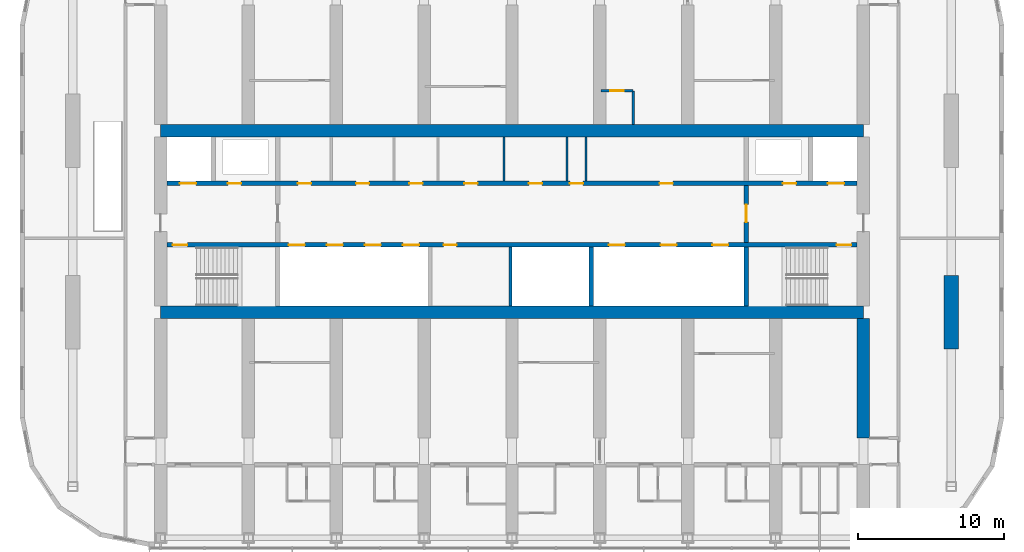
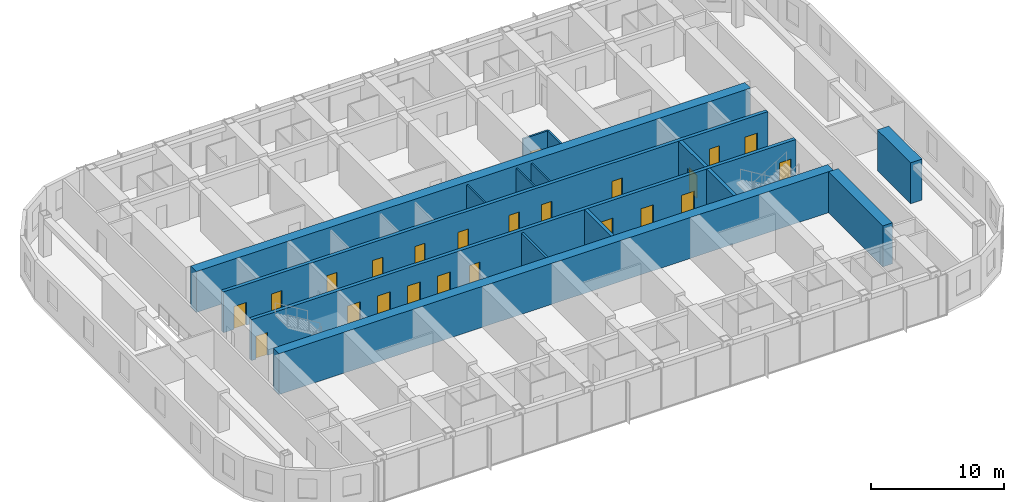
# One storey, part 13 of 22: 23 doors, 15 walls, 23 openings.
"""IFC4 building model written with IfcOpenShell, lengths in metres."""

from ifc_helpers import new_model, si_unit, direction, frame, frame_2d, origin, place, context, subcontext, project, spatial, rectangle, extrude, material, layer, layer_set, type_object, element, fill, save


model = new_model("IFC4")

# Units and contexts
model_context = context("Model", 3, precision=1e-05, world=origin(), true_north=direction((0.0, 1.0)))
body_context = subcontext(model_context, "Body", "Model", "MODEL_VIEW")
ifc_project = project(units=[si_unit("LENGTHUNIT", "METRE"), si_unit("AREAUNIT", "SQUARE_METRE"), si_unit("VOLUMEUNIT", "CUBIC_METRE"), si_unit("PLANEANGLEUNIT", "RADIAN"), si_unit("MASSUNIT", "GRAM", prefix="KILO")], contexts=[model_context])

# Site, building, storey
site_placement = place(None, origin())
site = spatial("IfcSite", under=ifc_project, at=site_placement, CompositionType="ELEMENT")
building_placement = place(site_placement, origin())
building = spatial("IfcBuilding", under=site, at=building_placement, Name="Orbita Commons", CompositionType="ELEMENT")
storey_placement = place(building_placement, frame((0.0, 0.0, 182.35009765625)))
storey = spatial("IfcBuildingStorey", under=building, at=storey_placement, Name="L45", CompositionType="ELEMENT", Elevation=182.35009765625)

# Wall, openings, doors
ifc_material_1 = material(Name="Concrete C50/60", Category="concrete")
ifc_layer_1 = layer(ifc_material_1, 0.300048828125)
ifc_layer_set_1 = layer_set([ifc_layer_1], Name="Concrete C50/60")
wall_type_1 = type_object("IfcWallType", Name="Core inner wall 300 C50/60", PredefinedType="SHEAR", material=ifc_layer_set_1)
wall_1_placement = place(storey_placement, frame((18.425048828125, 30.39990234375, 0.0), z_axis=(0.0, 0.0, 1.0), x_axis=(1.0, 0.0, 0.0)))
wall_1 = element("IfcWall", 1, at=wall_1_placement, inside=storey, type_object=wall_type_1, Name="Lobby wall south L45", PredefinedType="SHEAR", context=body_context, shape_type="SweptSolid", body=[
    extrude(rectangle(XDim=47.14990234375, YDim=0.300048828125, at=frame_2d((23.574951171875, 0.0))), origin(), (0.0, 0.0, 1.0), 3.75),
])
opening_1_placement = place(wall_1_placement, frame((0.39990234375, 0.0, 0.0)))
opening_1 = element("IfcOpeningElement", 2, at=opening_1_placement, cuts=wall_1, Name="Opening D02", PredefinedType="OPENING", context=body_context, shape_type="SweptSolid", body=[
    extrude(rectangle(XDim=1.0, YDim=2.10009765625, at=frame_2d((0.5, 1.050048828125))), frame((0.0, 0.159912109375, 0.0), z_axis=(0.0, -1.0, 0.0), x_axis=(1.0, 0.0, 0.0)), (0.0, 0.0, 1.0), 0.320068359375),
])
opening_2_placement = place(wall_1_placement, frame((45.75, 0.0, 0.0)))
opening_2 = element("IfcOpeningElement", 3, at=opening_2_placement, cuts=wall_1, Name="Opening D02", PredefinedType="OPENING", context=body_context, shape_type="SweptSolid", body=[
    extrude(rectangle(XDim=1.0, YDim=2.10009765625, at=frame_2d((0.5, 1.050048828125))), frame((0.0, 0.159912109375, 0.0), z_axis=(0.0, -1.0, 0.0), x_axis=(1.0, 0.0, 0.0)), (0.0, 0.0, 1.0), 0.320068359375),
])
opening_3_placement = place(wall_1_placement, frame((8.324951171875, 0.0, 0.0)))
opening_3 = element("IfcOpeningElement", 4, at=opening_3_placement, cuts=wall_1, Name="Opening LD02", PredefinedType="OPENING", context=body_context, shape_type="SweptSolid", body=[
    extrude(rectangle(XDim=1.10009765625, YDim=2.10009765625, at=frame_2d((0.550048828125, 1.050048828125))), frame((0.0, 0.159912109375, 0.0), z_axis=(0.0, -1.0, 0.0), x_axis=(1.0, 0.0, 0.0)), (0.0, 0.0, 1.0), 0.320068359375),
])
opening_4_placement = place(wall_1_placement, frame((10.925048828125, 0.0, 0.0)))
opening_4 = element("IfcOpeningElement", 5, at=opening_4_placement, cuts=wall_1, Name="Opening LD02", PredefinedType="OPENING", context=body_context, shape_type="SweptSolid", body=[
    extrude(rectangle(XDim=1.10009765625, YDim=2.10009765625, at=frame_2d((0.550048828125, 1.050048828125))), frame((0.0, 0.159912109375, 0.0), z_axis=(0.0, -1.0, 0.0), x_axis=(1.0, 0.0, 0.0)), (0.0, 0.0, 1.0), 0.320068359375),
])
opening_5_placement = place(wall_1_placement, frame((13.52490234375, 0.0, 0.0)))
opening_5 = element("IfcOpeningElement", 6, at=opening_5_placement, cuts=wall_1, Name="Opening LD02", PredefinedType="OPENING", context=body_context, shape_type="SweptSolid", body=[
    extrude(rectangle(XDim=1.10009765625, YDim=2.10009765625, at=frame_2d((0.550048828125, 1.050048828125))), frame((0.0, 0.159912109375, 0.0), z_axis=(0.0, -1.0, 0.0), x_axis=(1.0, 0.0, 0.0)), (0.0, 0.0, 1.0), 0.320068359375),
])
opening_6_placement = place(wall_1_placement, frame((16.125, 0.0, 0.0)))
opening_6 = element("IfcOpeningElement", 7, at=opening_6_placement, cuts=wall_1, Name="Opening LD02", PredefinedType="OPENING", context=body_context, shape_type="SweptSolid", body=[
    extrude(rectangle(XDim=1.10009765625, YDim=2.10009765625, at=frame_2d((0.550048828125, 1.050048828125))), frame((0.0, 0.159912109375, 0.0), z_axis=(0.0, -1.0, 0.0), x_axis=(1.0, 0.0, 0.0)), (0.0, 0.0, 1.0), 0.320068359375),
])
opening_7_placement = place(wall_1_placement, frame((18.89990234375, 0.0, 0.0)))
opening_7 = element("IfcOpeningElement", 8, at=opening_7_placement, cuts=wall_1, Name="Opening D05", PredefinedType="OPENING", context=body_context, shape_type="SweptSolid", body=[
    extrude(rectangle(XDim=0.89990234375, YDim=2.10009765625, at=frame_2d((0.449951171875, 1.050048828125))), frame((0.0, 0.159912109375, 0.0), z_axis=(0.0, -1.0, 0.0), x_axis=(1.0, 0.0, 0.0)), (0.0, 0.0, 1.0), 0.320068359375),
])
opening_8_placement = place(wall_1_placement, frame((30.191650390625, 0.0, 0.0)))
opening_8 = element("IfcOpeningElement", 9, at=opening_8_placement, cuts=wall_1, Name="Opening LD02", PredefinedType="OPENING", context=body_context, shape_type="SweptSolid", body=[
    extrude(rectangle(XDim=1.10009765625, YDim=2.10009765625, at=frame_2d((0.550048828125, 1.050048828125))), frame((0.0, 0.159912109375, 0.0), z_axis=(0.0, -1.0, 0.0), x_axis=(1.0, 0.0, 0.0)), (0.0, 0.0, 1.0), 0.320068359375),
])
opening_9_placement = place(wall_1_placement, frame((33.72509765625, 0.0, 0.0)))
opening_9 = element("IfcOpeningElement", 10, at=opening_9_placement, cuts=wall_1, Name="Opening LD02", PredefinedType="OPENING", context=body_context, shape_type="SweptSolid", body=[
    extrude(rectangle(XDim=1.10009765625, YDim=2.10009765625, at=frame_2d((0.550048828125, 1.050048828125))), frame((0.0, 0.159912109375, 0.0), z_axis=(0.0, -1.0, 0.0), x_axis=(1.0, 0.0, 0.0)), (0.0, 0.0, 1.0), 0.320068359375),
])
opening_10_placement = place(wall_1_placement, frame((37.25830078125, 0.0, 0.0)))
opening_10 = element("IfcOpeningElement", 11, at=opening_10_placement, cuts=wall_1, Name="Opening LD02", PredefinedType="OPENING", context=body_context, shape_type="SweptSolid", body=[
    extrude(rectangle(XDim=1.10009765625, YDim=2.10009765625, at=frame_2d((0.550048828125, 1.050048828125))), frame((0.0, 0.159912109375, 0.0), z_axis=(0.0, -1.0, 0.0), x_axis=(1.0, 0.0, 0.0)), (0.0, 0.0, 1.0), 0.320068359375),
])
ifc_material_2 = material(Name="Steel-faced fire door leaf", Category="steel")
door_type_1 = type_object("IfcDoorType", Name="Fire door 90 min 1000x2100", OperationType="SINGLE_SWING_LEFT", PredefinedType="DOOR", material=ifc_material_2)
door_1_placement = place(opening_1_placement, origin())
door_1 = element("IfcDoor", 12, at=door_1_placement, inside=storey, type_object=door_type_1, Name="Stair S1 door", OperationType="SINGLE_SWING_LEFT", OverallHeight=2.10009765625, OverallWidth=1.0, PredefinedType="DOOR", context=body_context, shape_type="SweptSolid", body=[
    extrude(rectangle(XDim=1.0, YDim=2.10009765625, at=frame_2d((0.5, 1.050048828125))), frame((0.0, 0.02490234375, 0.0), z_axis=(0.0, -1.0, 0.0), x_axis=(1.0, 0.0, 0.0)), (0.0, 0.0, 1.0), 0.050048828125),
])
fill(opening_1, door_1)
door_2_placement = place(opening_2_placement, origin())
door_2 = element("IfcDoor", 13, at=door_2_placement, inside=storey, type_object=door_type_1, Name="Stair S2 door", OperationType="SINGLE_SWING_LEFT", OverallHeight=2.10009765625, OverallWidth=1.0, PredefinedType="DOOR", context=body_context, shape_type="SweptSolid", body=[
    extrude(rectangle(XDim=1.0, YDim=2.10009765625, at=frame_2d((0.5, 1.050048828125))), frame((0.0, 0.02490234375, 0.0), z_axis=(0.0, -1.0, 0.0), x_axis=(1.0, 0.0, 0.0)), (0.0, 0.0, 1.0), 0.050048828125),
])
fill(opening_2, door_2)
ifc_material_3 = material(Name="Steel-faced fire door leaf", Category="steel")
door_type_2 = type_object("IfcDoorType", Name="Lift landing door 1100x2100", OperationType="DOUBLE_DOOR_SLIDING", PredefinedType="DOOR", material=ifc_material_3)
door_3_placement = place(opening_3_placement, origin())
door_3 = element("IfcDoor", 14, at=door_3_placement, inside=storey, type_object=door_type_2, Name="Lift P31 landing door", OperationType="DOUBLE_DOOR_SLIDING", OverallHeight=2.10009765625, OverallWidth=1.10009765625, PredefinedType="DOOR", context=body_context, shape_type="SweptSolid", body=[
    extrude(rectangle(XDim=1.10009765625, YDim=2.10009765625, at=frame_2d((0.550048828125, 1.050048828125))), frame((0.0, 0.02490234375, 0.0), z_axis=(0.0, -1.0, 0.0), x_axis=(1.0, 0.0, 0.0)), (0.0, 0.0, 1.0), 0.050048828125),
])
fill(opening_3, door_3)
door_4_placement = place(opening_4_placement, origin())
door_4 = element("IfcDoor", 15, at=door_4_placement, inside=storey, type_object=door_type_2, Name="Lift P32 landing door", OperationType="DOUBLE_DOOR_SLIDING", OverallHeight=2.10009765625, OverallWidth=1.10009765625, PredefinedType="DOOR", context=body_context, shape_type="SweptSolid", body=[
    extrude(rectangle(XDim=1.10009765625, YDim=2.10009765625, at=frame_2d((0.550048828125, 1.050048828125))), frame((0.0, 0.02490234375, 0.0), z_axis=(0.0, -1.0, 0.0), x_axis=(1.0, 0.0, 0.0)), (0.0, 0.0, 1.0), 0.050048828125),
])
fill(opening_4, door_4)
door_5_placement = place(opening_5_placement, origin())
door_5 = element("IfcDoor", 16, at=door_5_placement, inside=storey, type_object=door_type_2, Name="Lift P33 landing door", OperationType="DOUBLE_DOOR_SLIDING", OverallHeight=2.10009765625, OverallWidth=1.10009765625, PredefinedType="DOOR", context=body_context, shape_type="SweptSolid", body=[
    extrude(rectangle(XDim=1.10009765625, YDim=2.10009765625, at=frame_2d((0.550048828125, 1.050048828125))), frame((0.0, 0.02490234375, 0.0), z_axis=(0.0, -1.0, 0.0), x_axis=(1.0, 0.0, 0.0)), (0.0, 0.0, 1.0), 0.050048828125),
])
fill(opening_5, door_5)
door_6_placement = place(opening_6_placement, origin())
door_6 = element("IfcDoor", 17, at=door_6_placement, inside=storey, type_object=door_type_2, Name="Lift P34 landing door", OperationType="DOUBLE_DOOR_SLIDING", OverallHeight=2.10009765625, OverallWidth=1.10009765625, PredefinedType="DOOR", context=body_context, shape_type="SweptSolid", body=[
    extrude(rectangle(XDim=1.10009765625, YDim=2.10009765625, at=frame_2d((0.550048828125, 1.050048828125))), frame((0.0, 0.02490234375, 0.0), z_axis=(0.0, -1.0, 0.0), x_axis=(1.0, 0.0, 0.0)), (0.0, 0.0, 1.0), 0.050048828125),
])
fill(opening_6, door_6)
door_7_placement = place(opening_8_placement, origin())
door_7 = element("IfcDoor", 18, at=door_7_placement, inside=storey, type_object=door_type_2, Name="Lift SV1 landing door", OperationType="DOUBLE_DOOR_SLIDING", OverallHeight=2.10009765625, OverallWidth=1.10009765625, PredefinedType="DOOR", context=body_context, shape_type="SweptSolid", body=[
    extrude(rectangle(XDim=1.10009765625, YDim=2.10009765625, at=frame_2d((0.550048828125, 1.050048828125))), frame((0.0, 0.02490234375, 0.0), z_axis=(0.0, -1.0, 0.0), x_axis=(1.0, 0.0, 0.0)), (0.0, 0.0, 1.0), 0.050048828125),
])
fill(opening_8, door_7)
door_8_placement = place(opening_9_placement, origin())
door_8 = element("IfcDoor", 19, at=door_8_placement, inside=storey, type_object=door_type_2, Name="Lift SV2 landing door", OperationType="DOUBLE_DOOR_SLIDING", OverallHeight=2.10009765625, OverallWidth=1.10009765625, PredefinedType="DOOR", context=body_context, shape_type="SweptSolid", body=[
    extrude(rectangle(XDim=1.10009765625, YDim=2.10009765625, at=frame_2d((0.550048828125, 1.050048828125))), frame((0.0, 0.02490234375, 0.0), z_axis=(0.0, -1.0, 0.0), x_axis=(1.0, 0.0, 0.0)), (0.0, 0.0, 1.0), 0.050048828125),
])
fill(opening_9, door_8)
door_9_placement = place(opening_10_placement, origin())
door_9 = element("IfcDoor", 20, at=door_9_placement, inside=storey, type_object=door_type_2, Name="Lift SV3 landing door", OperationType="DOUBLE_DOOR_SLIDING", OverallHeight=2.10009765625, OverallWidth=1.10009765625, PredefinedType="DOOR", context=body_context, shape_type="SweptSolid", body=[
    extrude(rectangle(XDim=1.10009765625, YDim=2.10009765625, at=frame_2d((0.550048828125, 1.050048828125))), frame((0.0, 0.02490234375, 0.0), z_axis=(0.0, -1.0, 0.0), x_axis=(1.0, 0.0, 0.0)), (0.0, 0.0, 1.0), 0.050048828125),
])
fill(opening_10, door_9)
ifc_material_4 = material(Name="Steel-faced fire door leaf", Category="steel")
door_type_3 = type_object("IfcDoorType", Name="Service door 20 min 900x2100", OperationType="SINGLE_SWING_LEFT", PredefinedType="DOOR", material=ifc_material_4)
door_10_placement = place(opening_7_placement, origin())
door_10 = element("IfcDoor", 21, at=door_10_placement, inside=storey, type_object=door_type_3, Name="Equipment store door", OperationType="SINGLE_SWING_LEFT", OverallHeight=2.10009765625, OverallWidth=0.89990234375, PredefinedType="DOOR", context=body_context, shape_type="SweptSolid", body=[
    extrude(rectangle(XDim=0.89990234375, YDim=2.10009765625, at=frame_2d((0.449951171875, 1.050048828125))), frame((0.0, 0.02490234375, 0.0), z_axis=(0.0, -1.0, 0.0), x_axis=(1.0, 0.0, 0.0)), (0.0, 0.0, 1.0), 0.050048828125),
])
fill(opening_7, door_10)

wall_2_placement = place(storey_placement, frame((18.425048828125, 34.60009765625, 0.0), z_axis=(0.0, 0.0, 1.0), x_axis=(1.0, 0.0, 0.0)))
wall_2 = element("IfcWall", 22, at=wall_2_placement, inside=storey, type_object=wall_type_1, Name="Lobby wall north L45", PredefinedType="SHEAR", context=body_context, shape_type="SweptSolid", body=[
    extrude(rectangle(XDim=47.14990234375, YDim=0.300048828125, at=frame_2d((23.574951171875, 0.0))), origin(), (0.0, 0.0, 1.0), 3.75),
])
opening_11_placement = place(wall_2_placement, frame((0.89990234375, 0.0, 0.0)))
opening_11 = element("IfcOpeningElement", 23, at=opening_11_placement, cuts=wall_2, Name="Opening LD01", PredefinedType="OPENING", context=body_context, shape_type="SweptSolid", body=[
    extrude(rectangle(XDim=1.10009765625, YDim=2.10009765625, at=frame_2d((0.550048828125, 1.050048828125))), frame((0.0, 0.159912109375, 0.0), z_axis=(0.0, -1.0, 0.0), x_axis=(1.0, 0.0, 0.0)), (0.0, 0.0, 1.0), 0.320068359375),
])
opening_12_placement = place(wall_2_placement, frame((45.14990234375, 0.0, 0.0)))
opening_12 = element("IfcOpeningElement", 24, at=opening_12_placement, cuts=wall_2, Name="Opening LD01", PredefinedType="OPENING", context=body_context, shape_type="SweptSolid", body=[
    extrude(rectangle(XDim=1.10009765625, YDim=2.10009765625, at=frame_2d((0.550048828125, 1.050048828125))), frame((0.0, 0.159912109375, 0.0), z_axis=(0.0, -1.0, 0.0), x_axis=(1.0, 0.0, 0.0)), (0.0, 0.0, 1.0), 0.320068359375),
])
opening_13_placement = place(wall_2_placement, frame((4.175048828125, 0.0, 0.0)))
opening_13 = element("IfcOpeningElement", 25, at=opening_13_placement, cuts=wall_2, Name="Opening D03", PredefinedType="OPENING", context=body_context, shape_type="SweptSolid", body=[
    extrude(rectangle(XDim=0.89990234375, YDim=2.10009765625, at=frame_2d((0.449951171875, 1.050048828125))), frame((0.0, 0.159912109375, 0.0), z_axis=(0.0, -1.0, 0.0), x_axis=(1.0, 0.0, 0.0)), (0.0, 0.0, 1.0), 0.320068359375),
])
opening_14_placement = place(wall_2_placement, frame((42.074951171875, 0.0, 0.0)))
opening_14 = element("IfcOpeningElement", 26, at=opening_14_placement, cuts=wall_2, Name="Opening D03", PredefinedType="OPENING", context=body_context, shape_type="SweptSolid", body=[
    extrude(rectangle(XDim=0.89990234375, YDim=2.10009765625, at=frame_2d((0.449951171875, 1.050048828125))), frame((0.0, 0.159912109375, 0.0), z_axis=(0.0, -1.0, 0.0), x_axis=(1.0, 0.0, 0.0)), (0.0, 0.0, 1.0), 0.320068359375),
])
opening_15_placement = place(wall_2_placement, frame((8.950439453125, 0.0, 0.0)))
opening_15 = element("IfcOpeningElement", 27, at=opening_15_placement, cuts=wall_2, Name="Opening D05", PredefinedType="OPENING", context=body_context, shape_type="SweptSolid", body=[
    extrude(rectangle(XDim=0.89990234375, YDim=2.10009765625, at=frame_2d((0.449951171875, 1.050048828125))), frame((0.0, 0.159912109375, 0.0), z_axis=(0.0, -1.0, 0.0), x_axis=(1.0, 0.0, 0.0)), (0.0, 0.0, 1.0), 0.320068359375),
])
opening_16_placement = place(wall_2_placement, frame((12.923583984375, 0.0, 0.0)))
opening_16 = element("IfcOpeningElement", 28, at=opening_16_placement, cuts=wall_2, Name="Opening D03", PredefinedType="OPENING", context=body_context, shape_type="SweptSolid", body=[
    extrude(rectangle(XDim=0.89990234375, YDim=2.10009765625, at=frame_2d((0.449951171875, 1.050048828125))), frame((0.0, 0.159912109375, 0.0), z_axis=(0.0, -1.0, 0.0), x_axis=(1.0, 0.0, 0.0)), (0.0, 0.0, 1.0), 0.320068359375),
])
opening_17_placement = place(wall_2_placement, frame((16.5712890625, 0.0, 0.0)))
opening_17 = element("IfcOpeningElement", 29, at=opening_17_placement, cuts=wall_2, Name="Opening D03", PredefinedType="OPENING", context=body_context, shape_type="SweptSolid", body=[
    extrude(rectangle(XDim=0.89990234375, YDim=2.10009765625, at=frame_2d((0.449951171875, 1.050048828125))), frame((0.0, 0.159912109375, 0.0), z_axis=(0.0, -1.0, 0.0), x_axis=(1.0, 0.0, 0.0)), (0.0, 0.0, 1.0), 0.320068359375),
])
opening_18_placement = place(wall_2_placement, frame((20.32958984375, 0.0, 0.0)))
opening_18 = element("IfcOpeningElement", 30, at=opening_18_placement, cuts=wall_2, Name="Opening D05", PredefinedType="OPENING", context=body_context, shape_type="SweptSolid", body=[
    extrude(rectangle(XDim=0.89990234375, YDim=2.10009765625, at=frame_2d((0.449951171875, 1.050048828125))), frame((0.0, 0.159912109375, 0.0), z_axis=(0.0, -1.0, 0.0), x_axis=(1.0, 0.0, 0.0)), (0.0, 0.0, 1.0), 0.320068359375),
])
opening_19_placement = place(wall_2_placement, frame((24.735595703125, 0.0, 0.0)))
opening_19 = element("IfcOpeningElement", 31, at=opening_19_placement, cuts=wall_2, Name="Opening D03", PredefinedType="OPENING", context=body_context, shape_type="SweptSolid", body=[
    extrude(rectangle(XDim=0.89990234375, YDim=2.10009765625, at=frame_2d((0.449951171875, 1.050048828125))), frame((0.0, 0.159912109375, 0.0), z_axis=(0.0, -1.0, 0.0), x_axis=(1.0, 0.0, 0.0)), (0.0, 0.0, 1.0), 0.320068359375),
])
opening_20_placement = place(wall_2_placement, frame((27.533447265625, 0.0, 0.0)))
opening_20 = element("IfcOpeningElement", 32, at=opening_20_placement, cuts=wall_2, Name="Opening D03", PredefinedType="OPENING", context=body_context, shape_type="SweptSolid", body=[
    extrude(rectangle(XDim=0.89990234375, YDim=2.10009765625, at=frame_2d((0.449951171875, 1.050048828125))), frame((0.0, 0.159912109375, 0.0), z_axis=(0.0, -1.0, 0.0), x_axis=(1.0, 0.0, 0.0)), (0.0, 0.0, 1.0), 0.320068359375),
])
opening_21_placement = place(wall_2_placement, frame((33.654296875, 0.0, 0.0)))
opening_21 = element("IfcOpeningElement", 33, at=opening_21_placement, cuts=wall_2, Name="Opening D03", PredefinedType="OPENING", context=body_context, shape_type="SweptSolid", body=[
    extrude(rectangle(XDim=0.89990234375, YDim=2.10009765625, at=frame_2d((0.449951171875, 1.050048828125))), frame((0.0, 0.159912109375, 0.0), z_axis=(0.0, -1.0, 0.0), x_axis=(1.0, 0.0, 0.0)), (0.0, 0.0, 1.0), 0.320068359375),
])
ifc_material_5 = material(Name="Steel-faced fire door leaf", Category="steel")
door_type_4 = type_object("IfcDoorType", Name="Firefighting lift landing door 1100x2100", OperationType="DOUBLE_DOOR_SLIDING", PredefinedType="DOOR", material=ifc_material_5)
door_11_placement = place(opening_11_placement, origin())
door_11 = element("IfcDoor", 34, at=door_11_placement, inside=storey, type_object=door_type_4, Name="Firefighting lift FL1 landing door", OperationType="DOUBLE_DOOR_SLIDING", OverallHeight=2.10009765625, OverallWidth=1.10009765625, PredefinedType="DOOR", context=body_context, shape_type="SweptSolid", body=[
    extrude(rectangle(XDim=1.10009765625, YDim=2.10009765625, at=frame_2d((0.550048828125, 1.050048828125))), frame((0.0, 0.02490234375, 0.0), z_axis=(0.0, -1.0, 0.0), x_axis=(1.0, 0.0, 0.0)), (0.0, 0.0, 1.0), 0.050048828125),
])
fill(opening_11, door_11)
door_12_placement = place(opening_12_placement, origin())
door_12 = element("IfcDoor", 35, at=door_12_placement, inside=storey, type_object=door_type_4, Name="Firefighting lift FL2 landing door", OperationType="DOUBLE_DOOR_SLIDING", OverallHeight=2.10009765625, OverallWidth=1.10009765625, PredefinedType="DOOR", context=body_context, shape_type="SweptSolid", body=[
    extrude(rectangle(XDim=1.10009765625, YDim=2.10009765625, at=frame_2d((0.550048828125, 1.050048828125))), frame((0.0, 0.02490234375, 0.0), z_axis=(0.0, -1.0, 0.0), x_axis=(1.0, 0.0, 0.0)), (0.0, 0.0, 1.0), 0.050048828125),
])
fill(opening_12, door_12)
door_13_placement = place(opening_15_placement, origin())
door_13 = element("IfcDoor", 36, at=door_13_placement, inside=storey, type_object=door_type_3, Name="Staff WC door", OperationType="SINGLE_SWING_LEFT", OverallHeight=2.10009765625, OverallWidth=0.89990234375, PredefinedType="DOOR", context=body_context, shape_type="SweptSolid", body=[
    extrude(rectangle(XDim=0.89990234375, YDim=2.10009765625, at=frame_2d((0.449951171875, 1.050048828125))), frame((0.0, 0.02490234375, 0.0), z_axis=(0.0, -1.0, 0.0), x_axis=(1.0, 0.0, 0.0)), (0.0, 0.0, 1.0), 0.050048828125),
])
fill(opening_15, door_13)
door_14_placement = place(opening_18_placement, origin())
door_14 = element("IfcDoor", 37, at=door_14_placement, inside=storey, type_object=door_type_3, Name="Accessible WC door", OperationType="SINGLE_SWING_LEFT", OverallHeight=2.10009765625, OverallWidth=0.89990234375, PredefinedType="DOOR", context=body_context, shape_type="SweptSolid", body=[
    extrude(rectangle(XDim=0.89990234375, YDim=2.10009765625, at=frame_2d((0.449951171875, 1.050048828125))), frame((0.0, 0.02490234375, 0.0), z_axis=(0.0, -1.0, 0.0), x_axis=(1.0, 0.0, 0.0)), (0.0, 0.0, 1.0), 0.050048828125),
])
fill(opening_18, door_14)
ifc_material_6 = material(Name="Steel-faced fire door leaf", Category="steel")
door_type_5 = type_object("IfcDoorType", Name="Shaft access door 90 min 900x2100", OperationType="SINGLE_SWING_LEFT", PredefinedType="DOOR", material=ifc_material_6)
door_15_placement = place(opening_13_placement, origin())
door_15 = element("IfcDoor", 38, at=door_15_placement, inside=storey, type_object=door_type_5, Name="Riser door west", OperationType="SINGLE_SWING_LEFT", OverallHeight=2.10009765625, OverallWidth=0.89990234375, PredefinedType="DOOR", context=body_context, shape_type="SweptSolid", body=[
    extrude(rectangle(XDim=0.89990234375, YDim=2.10009765625, at=frame_2d((0.449951171875, 1.050048828125))), frame((0.0, 0.02490234375, 0.0), z_axis=(0.0, -1.0, 0.0), x_axis=(1.0, 0.0, 0.0)), (0.0, 0.0, 1.0), 0.050048828125),
])
fill(opening_13, door_15)
door_16_placement = place(opening_14_placement, origin())
door_16 = element("IfcDoor", 39, at=door_16_placement, inside=storey, type_object=door_type_5, Name="Riser door east", OperationType="SINGLE_SWING_LEFT", OverallHeight=2.10009765625, OverallWidth=0.89990234375, PredefinedType="DOOR", context=body_context, shape_type="SweptSolid", body=[
    extrude(rectangle(XDim=0.89990234375, YDim=2.10009765625, at=frame_2d((0.449951171875, 1.050048828125))), frame((0.0, 0.02490234375, 0.0), z_axis=(0.0, -1.0, 0.0), x_axis=(1.0, 0.0, 0.0)), (0.0, 0.0, 1.0), 0.050048828125),
])
fill(opening_14, door_16)
door_17_placement = place(opening_16_placement, origin())
door_17 = element("IfcDoor", 40, at=door_17_placement, inside=storey, type_object=door_type_5, Name="Refuse chute room door", OperationType="SINGLE_SWING_LEFT", OverallHeight=2.10009765625, OverallWidth=0.89990234375, PredefinedType="DOOR", context=body_context, shape_type="SweptSolid", body=[
    extrude(rectangle(XDim=0.89990234375, YDim=2.10009765625, at=frame_2d((0.449951171875, 1.050048828125))), frame((0.0, 0.02490234375, 0.0), z_axis=(0.0, -1.0, 0.0), x_axis=(1.0, 0.0, 0.0)), (0.0, 0.0, 1.0), 0.050048828125),
])
fill(opening_16, door_17)
door_18_placement = place(opening_17_placement, origin())
door_18 = element("IfcDoor", 41, at=door_18_placement, inside=storey, type_object=door_type_5, Name="Electrical riser room door", OperationType="SINGLE_SWING_LEFT", OverallHeight=2.10009765625, OverallWidth=0.89990234375, PredefinedType="DOOR", context=body_context, shape_type="SweptSolid", body=[
    extrude(rectangle(XDim=0.89990234375, YDim=2.10009765625, at=frame_2d((0.449951171875, 1.050048828125))), frame((0.0, 0.02490234375, 0.0), z_axis=(0.0, -1.0, 0.0), x_axis=(1.0, 0.0, 0.0)), (0.0, 0.0, 1.0), 0.050048828125),
])
fill(opening_17, door_18)
door_19_placement = place(opening_19_placement, origin())
door_19 = element("IfcDoor", 42, at=door_19_placement, inside=storey, type_object=door_type_5, Name="Communications room door", OperationType="SINGLE_SWING_LEFT", OverallHeight=2.10009765625, OverallWidth=0.89990234375, PredefinedType="DOOR", context=body_context, shape_type="SweptSolid", body=[
    extrude(rectangle(XDim=0.89990234375, YDim=2.10009765625, at=frame_2d((0.449951171875, 1.050048828125))), frame((0.0, 0.02490234375, 0.0), z_axis=(0.0, -1.0, 0.0), x_axis=(1.0, 0.0, 0.0)), (0.0, 0.0, 1.0), 0.050048828125),
])
fill(opening_19, door_19)
door_20_placement = place(opening_20_placement, origin())
door_20 = element("IfcDoor", 43, at=door_20_placement, inside=storey, type_object=door_type_5, Name="Stair pressurisation duct door", OperationType="SINGLE_SWING_LEFT", OverallHeight=2.10009765625, OverallWidth=0.89990234375, PredefinedType="DOOR", context=body_context, shape_type="SweptSolid", body=[
    extrude(rectangle(XDim=0.89990234375, YDim=2.10009765625, at=frame_2d((0.449951171875, 1.050048828125))), frame((0.0, 0.02490234375, 0.0), z_axis=(0.0, -1.0, 0.0), x_axis=(1.0, 0.0, 0.0)), (0.0, 0.0, 1.0), 0.050048828125),
])
fill(opening_20, door_20)
door_21_placement = place(opening_21_placement, origin())
door_21 = element("IfcDoor", 44, at=door_21_placement, inside=storey, type_object=door_type_5, Name="Linen and housekeeping store door", OperationType="SINGLE_SWING_LEFT", OverallHeight=2.10009765625, OverallWidth=0.89990234375, PredefinedType="DOOR", context=body_context, shape_type="SweptSolid", body=[
    extrude(rectangle(XDim=0.89990234375, YDim=2.10009765625, at=frame_2d((0.449951171875, 1.050048828125))), frame((0.0, 0.02490234375, 0.0), z_axis=(0.0, -1.0, 0.0), x_axis=(1.0, 0.0, 0.0)), (0.0, 0.0, 1.0), 0.050048828125),
])
fill(opening_21, door_21)

# Wall
wall_3_placement = place(storey_placement, frame((58.0, 26.22509765625, 0.0), z_axis=(0.0, 0.0, 1.0), x_axis=(0.0, 1.0, 0.0)))
element("IfcWall", 45, at=wall_3_placement, inside=storey, type_object=wall_type_1, Name="Stair S2 wall L45", PredefinedType="SHEAR", context=body_context, shape_type="SweptSolid", body=[
    extrude(rectangle(XDim=4.02490234375, YDim=0.300048828125, at=frame_2d((2.012451171875, 0.0))), origin(), (0.0, 0.0, 1.0), 3.75),
])

# Wall, opening, door
wall_4_placement = place(storey_placement, frame((58.0, 30.550048828125, 0.0), z_axis=(0.0, 0.0, 1.0), x_axis=(0.0, 1.0, 0.0)))
wall_4 = element("IfcWall", 46, at=wall_4_placement, inside=storey, type_object=wall_type_1, Name="Firefighting lobby wall east L45", PredefinedType="SHEAR", context=body_context, shape_type="SweptSolid", body=[
    extrude(rectangle(XDim=3.89990234375, YDim=0.300048828125, at=frame_2d((1.949951171875, 0.0))), origin(), (0.0, 0.0, 1.0), 3.75),
])
opening_22_placement = place(wall_4_placement, frame((1.39990234375, 0.0, 0.0)))
opening_22 = element("IfcOpeningElement", 47, at=opening_22_placement, cuts=wall_4, Name="Opening D04", PredefinedType="OPENING", context=body_context, shape_type="SweptSolid", body=[
    extrude(rectangle(XDim=1.199951171875, YDim=2.10009765625, at=frame_2d((0.60009765625, 1.050048828125))), frame((0.0, 0.159912109375, 0.0), z_axis=(0.0, -1.0, 0.0), x_axis=(1.0, 0.0, 0.0)), (0.0, 0.0, 1.0), 0.320068359375),
])
ifc_material_7 = material(Name="Steel-faced fire door leaf", Category="steel")
door_type_6 = type_object("IfcDoorType", Name="Service door 20 min 1200x2100", OperationType="SINGLE_SWING_LEFT", PredefinedType="DOOR", material=ifc_material_7)
door_22_placement = place(opening_22_placement, origin())
door_22 = element("IfcDoor", 48, at=door_22_placement, inside=storey, type_object=door_type_6, Name="Lift lobby door east", OperationType="SINGLE_SWING_LEFT", OverallHeight=2.10009765625, OverallWidth=1.199951171875, PredefinedType="DOOR", context=body_context, shape_type="SweptSolid", body=[
    extrude(rectangle(XDim=1.199951171875, YDim=2.10009765625, at=frame_2d((0.60009765625, 1.050048828125))), frame((0.0, 0.02490234375, 0.0), z_axis=(0.0, -1.0, 0.0), x_axis=(1.0, 0.0, 0.0)), (0.0, 0.0, 1.0), 0.050048828125),
])
fill(opening_22, door_22)

# Walls
wall_5_placement = place(storey_placement, frame((47.39990234375, 26.22509765625, 0.0), z_axis=(0.0, 0.0, 1.0), x_axis=(0.0, 1.0, 0.0)))
element("IfcWall", 49, at=wall_5_placement, inside=storey, type_object=wall_type_1, Name="Hoistway division wall L45", PredefinedType="SHEAR", context=body_context, shape_type="SweptSolid", body=[
    extrude(rectangle(XDim=4.02490234375, YDim=0.300048828125, at=frame_2d((2.012451171875, 0.0))), origin(), (0.0, 0.0, 1.0), 3.75),
])
ifc_material_8 = material(Name="Concrete blockwork", Category="masonry")
ifc_layer_2 = layer(ifc_material_8, 0.14990234375)
ifc_layer_set_2 = layer_set([ifc_layer_2], Name="Concrete blockwork")
wall_type_2 = type_object("IfcWallType", Name="Core partition 150 blockwork", PredefinedType="SOLIDWALL", material=ifc_layer_set_2)
for number, where, z_axis, x_axis, name in (
    (50, (41.463134765625, 34.75, 0.0), (0.0, 0.0, 1.0), (0.0, 1.0, 0.0), "Core partition 150 blockwork L45"),
    (51, (45.75830078125, 34.75, 0.0), (0.0, 0.0, 1.0), (0.0, 1.0, 0.0), "Core partition 150 blockwork L45"),
    (52, (47.058349609375, 34.75, 0.0), (0.0, 0.0, 1.0), (0.0, 1.0, 0.0), "Core partition 150 blockwork L45"),
):
    element("IfcWall", number, at=place(storey_placement, frame(where, z_axis=z_axis, x_axis=x_axis)), inside=storey, type_object=wall_type_2, Name=name, PredefinedType="SOLIDWALL", context=body_context, shape_type="SweptSolid", body=[
        extrude(rectangle(XDim=3.02490234375, YDim=0.14990234375, at=frame_2d((1.512451171875, 0.0))), origin(), (0.0, 0.0, 1.0), 3.5),
    ])
ifc_material_9 = material(Name="Concrete C50/60", Category="concrete")
ifc_layer_3 = layer(ifc_material_9, 0.85009765625)
ifc_layer_set_3 = layer_set([ifc_layer_3], Name="Concrete C50/60")
wall_type_3 = type_object("IfcWallType", Name="Core wall 850 C50/60", PredefinedType="SHEAR", material=ifc_layer_set_3)
for number, where, z_axis, x_axis, name in (
    (53, (18.0, 25.800048828125, 0.0), (0.0, 0.0, 1.0), (1.0, 0.0, 0.0), "Core spine wall south L45"),
    (54, (18.0, 38.199951171875, 0.0), (0.0, 0.0, 1.0), (1.0, 0.0, 0.0), "Core spine wall north L45"),
):
    element("IfcWall", number, at=place(storey_placement, frame(where, z_axis=z_axis, x_axis=x_axis)), inside=storey, type_object=wall_type_3, Name=name, PredefinedType="SHEAR", context=body_context, shape_type="SweptSolid", body=[
        extrude(rectangle(XDim=48.0, YDim=0.85009765625, at=frame_2d((24.0, 0.0))), origin(), (0.0, 0.0, 1.0), 3.75),
    ])
ifc_material_10 = material(Name="Concrete C50/60", Category="concrete")
ifc_layer_4 = layer(ifc_material_10, 0.85009765625)
ifc_layer_set_4 = layer_set([ifc_layer_4], Name="Concrete C50/60")
wall_type_4 = type_object("IfcWallType", Name="Cross wall 850 C50/60", PredefinedType="SHEAR", material=ifc_layer_set_4)
wall_6_placement = place(storey_placement, frame((66.0, 17.199951171875, 0.0), z_axis=(0.0, 0.0, 1.0), x_axis=(0.0, 1.0, 0.0)))
element("IfcWall", 55, at=wall_6_placement, inside=storey, type_object=wall_type_4, Name="Cross wall 12 south inner L45", PredefinedType="SHEAR", context=body_context, shape_type="SweptSolid", body=[
    extrude(rectangle(XDim=8.175048828125, YDim=0.85009765625, at=frame_2d((4.08740234375, 0.0))), origin(), (0.0, 0.0, 1.0), 3.75),
])
ifc_material_11 = material(Name="Concrete C50/60", Category="concrete")
ifc_layer_5 = layer(ifc_material_11, 1.0)
ifc_layer_set_5 = layer_set([ifc_layer_5], Name="Concrete C50/60")
wall_type_5 = type_object("IfcWallType", Name="End pier 1000x5000 C50/60", PredefinedType="SHEAR", material=ifc_layer_set_5)
wall_7_placement = place(storey_placement, frame((72.0, 23.300048828125, 0.0), z_axis=(0.0, 0.0, 1.0), x_axis=(0.0, 1.0, 0.0)))
element("IfcWall", 56, at=wall_7_placement, inside=storey, type_object=wall_type_5, Name="End pier 13/C L45", PredefinedType="SHEAR", context=body_context, shape_type="SweptSolid", body=[
    extrude(rectangle(XDim=5.0, YDim=1.0, at=frame_2d((2.5, 0.0))), origin(), (0.0, 0.0, 1.0), 3.75),
])
ifc_material_12 = material(Name="Gypsum plasterboard on steel studs", Category="steel")
ifc_layer_6 = layer(ifc_material_12, 0.14990234375)
ifc_layer_set_6 = layer_set([ifc_layer_6], Name="Gypsum plasterboard on steel studs")
wall_type_6 = type_object("IfcWallType", Name="Partition 150 plasterboard", PredefinedType="PARTITIONING", material=ifc_layer_set_6)
wall_8_placement = place(storey_placement, frame((50.27490234375, 40.925048828125, 0.0), z_axis=(0.0, 0.0, 1.0), x_axis=(0.0, -1.0, 0.0)))
element("IfcWall", 57, at=wall_8_placement, inside=storey, type_object=wall_type_6, Name="Partition 150 plasterboard L45", PredefinedType="PARTITIONING", context=body_context, shape_type="SweptSolid", body=[
    extrude(rectangle(XDim=2.300048828125, YDim=0.14990234375, at=frame_2d((1.14990234375, 0.0))), origin(), (0.0, 0.0, 1.0), 3.5),
])

# Wall, opening, door
wall_9_placement = place(storey_placement, frame((50.27490234375, 40.925048828125, 0.0), z_axis=(0.0, 0.0, 1.0), x_axis=(-1.0, 0.0, 0.0)))
wall_9 = element("IfcWall", 58, at=wall_9_placement, inside=storey, type_object=wall_type_6, Name="Partition 150 plasterboard L45", PredefinedType="PARTITIONING", context=body_context, shape_type="SweptSolid", body=[
    extrude(rectangle(XDim=2.199951171875, YDim=0.14990234375, at=frame_2d((1.10009765625, 0.0))), origin(), (0.0, 0.0, 1.0), 3.5),
])
opening_23_placement = place(wall_9_placement, frame((0.64990234375, 0.0, 0.0)))
opening_23 = element("IfcOpeningElement", 59, at=opening_23_placement, cuts=wall_9, Name="Opening D05", PredefinedType="OPENING", context=body_context, shape_type="SweptSolid", body=[
    extrude(rectangle(XDim=0.89990234375, YDim=2.10009765625, at=frame_2d((0.449951171875, 1.050048828125))), frame((0.0, 0.0849609375, 0.0), z_axis=(0.0, -1.0, 0.0), x_axis=(1.0, 0.0, 0.0)), (0.0, 0.0, 1.0), 0.169921875),
])
door_23_placement = place(opening_23_placement, origin())
door_23 = element("IfcDoor", 60, at=door_23_placement, inside=storey, type_object=door_type_3, Name="Accessible WC L45-BDN48 door", OperationType="SINGLE_SWING_LEFT", OverallHeight=2.10009765625, OverallWidth=0.89990234375, PredefinedType="DOOR", context=body_context, shape_type="SweptSolid", body=[
    extrude(rectangle(XDim=0.89990234375, YDim=2.10009765625, at=frame_2d((0.449951171875, 1.050048828125))), frame((0.0, 0.02490234375, 0.0), z_axis=(0.0, -1.0, 0.0), x_axis=(1.0, 0.0, 0.0)), (0.0, 0.0, 1.0), 0.050048828125),
])
fill(opening_23, door_23)

# Wall
ifc_material_13 = material(Name="Concrete blockwork, fully filled", Category="masonry")
ifc_layer_7 = layer(ifc_material_13, 0.199951171875)
ifc_layer_set_7 = layer_set([ifc_layer_7], Name="Concrete blockwork, fully filled")
wall_type_7 = type_object("IfcWallType", Name="Shaft partition 200 blockwork", PredefinedType="SOLIDWALL", material=ifc_layer_set_7)
wall_10_placement = place(storey_placement, frame((41.89990234375, 26.22509765625, 0.0), z_axis=(0.0, 0.0, 1.0), x_axis=(0.0, 1.0, 0.0)))
element("IfcWall", 61, at=wall_10_placement, inside=storey, type_object=wall_type_7, Name="Shaft partition 200 blockwork L45", PredefinedType="SOLIDWALL", context=body_context, shape_type="SweptSolid", body=[
    extrude(rectangle(XDim=4.02490234375, YDim=0.199951171875, at=frame_2d((2.012451171875, 0.0))), origin(), (0.0, 0.0, 1.0), 3.5),
])

save(model, "model.ifc")
